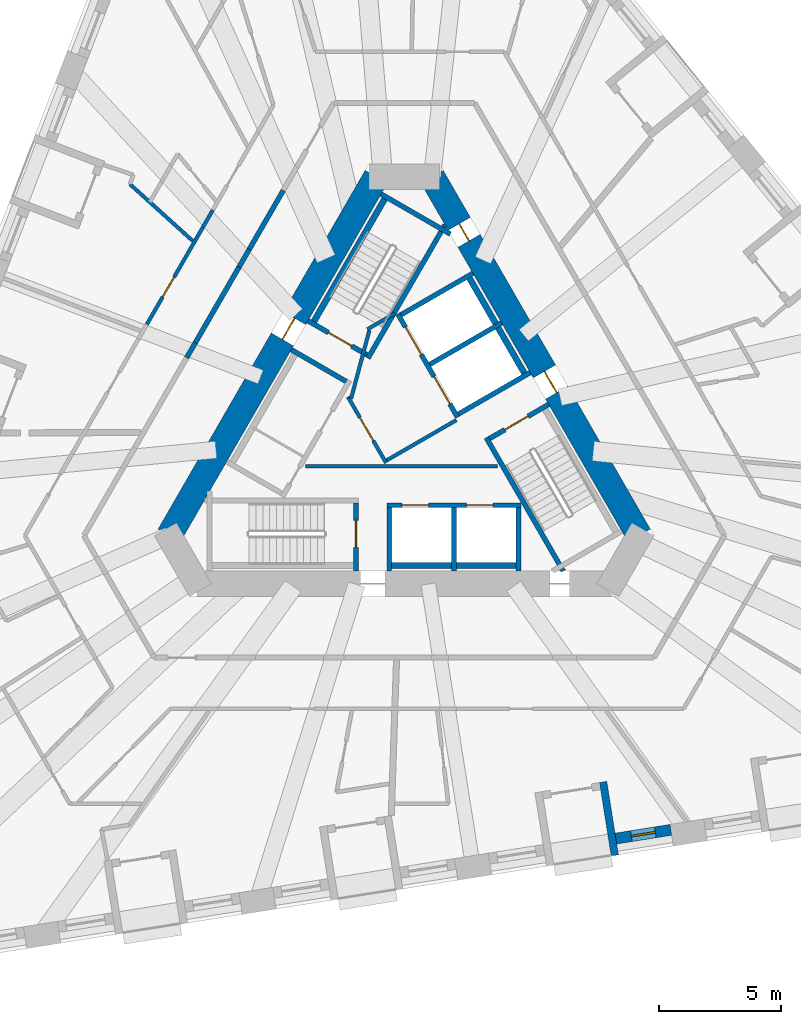
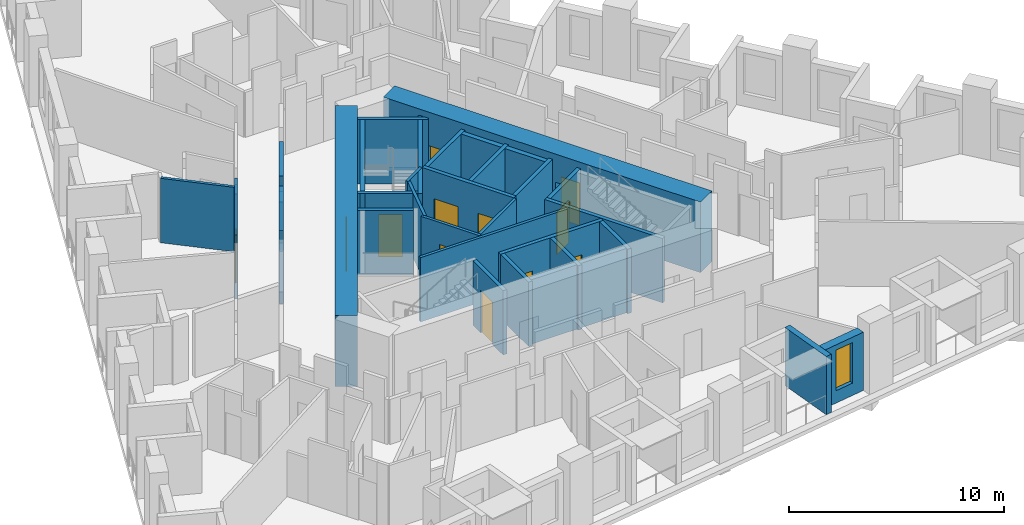
# One storey, part 5 of 14: 34 walls, 12 doors, 1 window, 13 openings.
"""IFC4 building model written with IfcOpenShell, lengths in metres."""

from ifc_helpers import new_model, si_unit, direction, frame, frame_2d, origin, place, context, subcontext, project, spatial, rectangle, extrude, material, layer, layer_set, type_object, element, fill, save


model = new_model("IFC4")

# Units and contexts
model_context = context("Model", 3, precision=1e-05, world=origin(), true_north=direction((0.0, 1.0)))
body_context = subcontext(model_context, "Body", "Model", "MODEL_VIEW")
ifc_project = project(units=[si_unit("LENGTHUNIT", "METRE"), si_unit("AREAUNIT", "SQUARE_METRE"), si_unit("VOLUMEUNIT", "CUBIC_METRE"), si_unit("PLANEANGLEUNIT", "RADIAN"), si_unit("MASSUNIT", "GRAM", prefix="KILO")], contexts=[model_context])

# Site, building, storey
site_placement = place(None, origin())
site = spatial("IfcSite", under=ifc_project, at=site_placement, CompositionType="ELEMENT")
building_placement = place(site_placement, origin())
building = spatial("IfcBuilding", under=site, at=building_placement, Name="Tramontana Tower", CompositionType="ELEMENT")
storey_placement = place(building_placement, frame((0.0, 0.0, 71.199951171875)))
storey = spatial("IfcBuildingStorey", under=building, at=storey_placement, Name="L15", CompositionType="ELEMENT", Elevation=71.199951171875)

# Wall, opening, door
ifc_material_1 = material(Name="Concrete 70 MPa", Category="concrete")
ifc_layer_1 = layer(ifc_material_1, 1.050048828125)
ifc_layer_set_1 = layer_set([ifc_layer_1], Name="Core wall 1050 70 MPa")
wall_type_1 = type_object("IfcWallType", Name="Core wall 1050 70 MPa", PredefinedType="SHEAR", material=ifc_layer_set_1)
wall_1_placement = place(storey_placement, frame((-1.140380859375, 10.47509765625, 0.0), z_axis=(0.0, 0.0, 1.0), x_axis=(-0.499985955615, -0.866033512162, 0.0)))
wall_1 = element("IfcWall", 1, at=wall_1_placement, inside=storey, type_object=wall_type_1, Name="Core wall C1 L15", PredefinedType="SHEAR", context=body_context, shape_type="SweptSolid", body=[
    extrude(rectangle(XDim=17.0029296875, YDim=1.050048828125, at=frame_2d((8.50146484375, 0.0))), origin(), (0.0, 0.0, 1.0), 4.0),
])
opening_1_placement = place(wall_1_placement, frame((6.70654296875, 0.0, 0.0)))
opening_1 = element("IfcOpeningElement", 2, at=opening_1_placement, cuts=wall_1, Name="Opening RG1", PredefinedType="OPENING", context=body_context, shape_type="SweptSolid", body=[
    extrude(rectangle(XDim=1.0, YDim=2.39990234375, at=frame_2d((0.5, 1.199951171875))), frame((0.0, 0.534912109375, 0.0), z_axis=(0.0, -1.0, 0.0), x_axis=(1.0, 0.0, 0.0)), (0.0, 0.0, 1.0), 1.070068359375),
])
ifc_material_2 = material(Name="Painted steel", Category="steel")
door_type_1 = type_object("IfcDoorType", Name="RING DOOR 1000", OperationType="SINGLE_SWING_LEFT", PredefinedType="DOOR", material=ifc_material_2)
door_1_placement = place(opening_1_placement, origin())
door_1 = element("IfcDoor", 3, at=door_1_placement, inside=storey, type_object=door_type_1, Name="Door RG1", OperationType="SINGLE_SWING_RIGHT", OverallHeight=2.39990234375, OverallWidth=1.0, PredefinedType="DOOR", context=body_context, shape_type="SweptSolid", body=[
    extrude(rectangle(XDim=1.0, YDim=2.39990234375, at=frame_2d((0.5, 1.199951171875))), frame((0.0, 0.02490234375, 0.0), z_axis=(0.0, -1.0, 0.0), x_axis=(1.0, 0.0, 0.0)), (0.0, 0.0, 1.0), 0.050048828125),
])
fill(opening_1, door_1)

# Wall, openings, doors
wall_2_placement = place(storey_placement, frame((9.6416015625, -4.25, 0.0), z_axis=(0.0, 0.0, 1.0), x_axis=(-0.499985955615, 0.866033512162, 0.0)))
wall_2 = element("IfcWall", 4, at=wall_2_placement, inside=storey, type_object=wall_type_1, Name="Core wall C5 L15", PredefinedType="SHEAR", context=body_context, shape_type="SweptSolid", body=[
    extrude(rectangle(XDim=17.0029296875, YDim=1.050048828125, at=frame_2d((8.50146484375, 0.0))), origin(), (0.0, 0.0, 1.0), 4.0),
])
opening_2_placement = place(wall_2_placement, frame((6.7763671875, 0.0, 0.0)))
opening_2 = element("IfcOpeningElement", 5, at=opening_2_placement, cuts=wall_2, Name="Opening RG3", PredefinedType="OPENING", context=body_context, shape_type="SweptSolid", body=[
    extrude(rectangle(XDim=1.0, YDim=2.39990234375, at=frame_2d((0.5, 1.199951171875))), frame((0.0, 0.534912109375, 0.0), z_axis=(0.0, -1.0, 0.0), x_axis=(1.0, 0.0, 0.0)), (0.0, 0.0, 1.0), 1.070068359375),
])
opening_3_placement = place(wall_2_placement, frame((13.966796875, 0.0, 0.0)))
opening_3 = element("IfcOpeningElement", 6, at=opening_3_placement, cuts=wall_2, Name="Opening PD3", PredefinedType="OPENING", context=body_context, shape_type="SweptSolid", body=[
    extrude(rectangle(XDim=0.800048828125, YDim=2.10009765625, at=frame_2d((0.39990234375, 1.050048828125))), frame((0.0, 0.534912109375, 0.0), z_axis=(0.0, -1.0, 0.0), x_axis=(1.0, 0.0, 0.0)), (0.0, 0.0, 1.0), 1.070068359375),
])
ifc_material_3 = material(Name="Painted steel", Category="steel")
door_type_2 = type_object("IfcDoorType", Name="CUPBOARD DOOR 800", OperationType="SINGLE_SWING_LEFT", PredefinedType="DOOR", material=ifc_material_3)
door_2_placement = place(opening_3_placement, origin())
door_2 = element("IfcDoor", 7, at=door_2_placement, inside=storey, type_object=door_type_2, Name="Door PD3", OperationType="SINGLE_SWING_RIGHT", OverallHeight=2.10009765625, OverallWidth=0.800048828125, PredefinedType="DOOR", context=body_context, shape_type="SweptSolid", body=[
    extrude(rectangle(XDim=0.800048828125, YDim=2.10009765625, at=frame_2d((0.39990234375, 1.050048828125))), frame((0.0, 0.02490234375, 0.0), z_axis=(0.0, -1.0, 0.0), x_axis=(1.0, 0.0, 0.0)), (0.0, 0.0, 1.0), 0.050048828125),
])
fill(opening_3, door_2)
door_3_placement = place(opening_2_placement, origin())
door_3 = element("IfcDoor", 8, at=door_3_placement, inside=storey, type_object=door_type_1, Name="Door RG3", OperationType="SINGLE_SWING_RIGHT", OverallHeight=2.39990234375, OverallWidth=1.0, PredefinedType="DOOR", context=body_context, shape_type="SweptSolid", body=[
    extrude(rectangle(XDim=1.0, YDim=2.39990234375, at=frame_2d((0.5, 1.199951171875))), frame((0.0, 0.02490234375, 0.0), z_axis=(0.0, -1.0, 0.0), x_axis=(1.0, 0.0, 0.0)), (0.0, 0.0, 1.0), 0.050048828125),
])
fill(opening_2, door_3)

# Walls
ifc_material_4 = material(Name="Blockwork", Category="masonry")
ifc_layer_2 = layer(ifc_material_4, 0.199951171875)
ifc_layer_set_2 = layer_set([ifc_layer_2], Name="ENTRY WALL 200")
wall_type_2 = type_object("IfcWallType", Name="ENTRY WALL 200", PredefinedType="SOLIDWALL", material=ifc_layer_set_2)
wall_3_placement = place(storey_placement, frame((-8.92041015625, 3.04931640625, 0.0), z_axis=(0.0, 0.0, 1.0), x_axis=(0.499881507708, 0.866093804534, 0.0)))
element("IfcWall", 9, at=wall_3_placement, inside=storey, type_object=wall_type_2, Name="Wall v11-ew4-3", PredefinedType="SOLIDWALL", context=body_context, shape_type="SweptSolid", body=[
    extrude(rectangle(XDim=0.708740234375, YDim=0.199951171875, at=frame_2d((0.3544921875, 0.0))), origin(), (0.0, 0.0, 1.0), 2.949951171875),
])
wall_4_placement = place(storey_placement, frame((-8.566162109375, 3.6630859375, 0.0), z_axis=(0.0, 0.0, 1.0), x_axis=(0.500013241293, 0.866017758786, 0.0)))
element("IfcWall", 10, at=wall_4_placement, inside=storey, type_object=wall_type_2, Name="Wall v11-ew4-4", PredefinedType="SOLIDWALL", context=body_context, shape_type="SweptSolid", body=[
    extrude(rectangle(XDim=3.58544921875, YDim=0.199951171875, at=frame_2d((1.792724609375, 0.0))), origin(), (0.0, 0.0, 1.0), 3.650146484375),
])
wall_5_placement = place(storey_placement, frame((-6.7734375, 6.76806640625, 0.0), z_axis=(0.0, 0.0, 1.0), x_axis=(0.500117447933, 0.865957584569, 0.0)))
element("IfcWall", 11, at=wall_5_placement, inside=storey, type_object=wall_type_2, Name="Wall v11-ew4-5", PredefinedType="SOLIDWALL", context=body_context, shape_type="SweptSolid", body=[
    extrude(rectangle(XDim=0.838134765625, YDim=0.199951171875, at=frame_2d((0.4189453125, 0.0))), origin(), (0.0, 0.0, 1.0), 2.75),
])
wall_6_placement = place(storey_placement, frame((-6.354248046875, 7.493896484375, 0.0), z_axis=(0.0, 0.0, 1.0), x_axis=(0.499964529649, 0.866045881633, 0.0)))
element("IfcWall", 12, at=wall_6_placement, inside=storey, type_object=wall_type_2, Name="Wall v11-ew4-6", PredefinedType="SOLIDWALL", context=body_context, shape_type="SweptSolid", body=[
    extrude(rectangle(XDim=2.793701171875, YDim=0.199951171875, at=frame_2d((1.39697265625, 0.0))), origin(), (0.0, 0.0, 1.0), 3.650146484375),
])

# Wall, opening, window
ifc_material_5 = material(Name="Precast concrete 60 MPa", Category="concrete")
ifc_layer_3 = layer(ifc_material_5, 0.449951171875)
ifc_layer_set_3 = layer_set([ifc_layer_3], Name="Precast concrete 60 MPa, 450 mm")
wall_type_3 = type_object("IfcWallType", Name="EW1 Stone-faced precast wall 450", PredefinedType="SOLIDWALL", material=ifc_layer_set_3)
wall_7_placement = place(storey_placement, frame((8.680908203125, -16.67236328125, 0.0), z_axis=(0.0, 0.0, 1.0), x_axis=(0.987685675151, 0.156451293065, 0.0)))
wall_7 = element("IfcWall", 13, at=wall_7_placement, inside=storey, type_object=wall_type_3, Name="External wall L15 face 1 bay 4", PredefinedType="SOLIDWALL", context=body_context, shape_type="SweptSolid", body=[
    extrude(rectangle(XDim=2.282958984375, YDim=0.449951171875, at=frame_2d((1.1416015625, 0.0))), origin(), (0.0, 0.0, 1.0), 3.300048828125),
])
opening_4_placement = place(wall_7_placement, frame((0.6416015625, 0.0, 0.699951171875)))
opening_4 = element("IfcOpeningElement", 14, at=opening_4_placement, cuts=wall_7, Name="Opening N1", PredefinedType="OPENING", context=body_context, shape_type="SweptSolid", body=[
    extrude(rectangle(XDim=1.0, YDim=2.300048828125, at=frame_2d((0.5, 1.14990234375))), frame((0.0, 0.23486328125, 0.0), z_axis=(0.0, -1.0, 0.0), x_axis=(1.0, 0.0, 0.0)), (0.0, 0.0, 1.0), 0.469970703125),
])
ifc_material_6 = material(Name="Aluminum frame, double glazing unit", Category="aluminium")
window_type = type_object("IfcWindowType", Name="N1 Window 1 x 2.3", PartitioningType="SINGLE_PANEL", PredefinedType="WINDOW", material=ifc_material_6)
window_placement = place(opening_4_placement, origin())
window = element("IfcWindow", 15, at=window_placement, inside=storey, type_object=window_type, Name="Window N1 L15 face 1 module 12", OverallHeight=2.300048828125, OverallWidth=1.0, PartitioningType="SINGLE_PANEL", PredefinedType="WINDOW", context=body_context, shape_type="SweptSolid", body=[
    extrude(rectangle(XDim=1.0, YDim=2.300048828125, at=frame_2d((0.5, 1.14990234375))), frame((0.0, 0.030029296875, 0.0), z_axis=(0.0, -1.0, 0.0), x_axis=(1.0, 0.0, 0.0)), (0.0, 0.0, 1.0), 0.06005859375),
])
fill(opening_4, window)

# Wall
ifc_material_7 = material(Name="Precast concrete 60 MPa", Category="concrete")
ifc_layer_4 = layer(ifc_material_7, 0.300048828125)
ifc_layer_set_4 = layer_set([ifc_layer_4], Name="LW1 Stone-faced loggia wall 300")
wall_type_4 = type_object("IfcWallType", Name="LW1 Stone-faced loggia wall 300", PredefinedType="SOLIDWALL", material=ifc_layer_set_4)
wall_8_placement = place(storey_placement, frame((8.638427734375, -17.3623046875, 0.0), z_axis=(0.0, 0.0, 1.0), x_axis=(-0.156410600741, 0.987692120033, 0.0)))
element("IfcWall", 16, at=wall_8_placement, inside=storey, type_object=wall_type_4, Name="Loggia return L15 G1S1.10b", PredefinedType="SOLIDWALL", context=body_context, shape_type="SweptSolid", body=[
    extrude(rectangle(XDim=3.050048828125, YDim=0.300048828125, at=frame_2d((1.52490234375, 0.0))), origin(), (0.0, 0.0, 1.0), 3.300048828125),
])

# Wall, opening, door
ifc_material_8 = material(Name="Gypsum board partition")
ifc_layer_5 = layer(ifc_material_8, 0.14990234375)
ifc_layer_set_5 = layer_set([ifc_layer_5], Name="PARTITION 150")
wall_type_5 = type_object("IfcWallType", Name="PARTITION 150", PredefinedType="PARTITIONING", material=ifc_layer_set_5)
wall_9_placement = place(storey_placement, frame((-0.744140625, -1.260986328125, 0.0), z_axis=(0.0, 0.0, 1.0), x_axis=(-0.500004234368, 0.866022959057, 0.0)))
wall_9 = element("IfcWall", 17, at=wall_9_placement, inside=storey, type_object=wall_type_5, Name="Wall ff-front", PredefinedType="PARTITIONING", context=body_context, shape_type="SweptSolid", body=[
    extrude(rectangle(XDim=3.125, YDim=0.14990234375, at=frame_2d((1.5625, 0.0))), origin(), (0.0, 0.0, 1.0), 3.650146484375),
])
opening_5_placement = place(wall_9_placement, frame((1.050048828125, 0.0, 0.0)))
opening_5 = element("IfcOpeningElement", 18, at=opening_5_placement, cuts=wall_9, Name="Opening FD1", PredefinedType="OPENING", context=body_context, shape_type="SweptSolid", body=[
    extrude(rectangle(XDim=1.10009765625, YDim=2.39990234375, at=frame_2d((0.550048828125, 1.199951171875))), frame((0.0, 0.0849609375, 0.0), z_axis=(0.0, -1.0, 0.0), x_axis=(1.0, 0.0, 0.0)), (0.0, 0.0, 1.0), 0.169921875),
])
ifc_material_9 = material(Name="Painted timber", Category="wood")
door_type_3 = type_object("IfcDoorType", Name="DOOR ENTRY 1100", OperationType="SINGLE_SWING_LEFT", PredefinedType="DOOR", material=ifc_material_9)
door_4_placement = place(opening_5_placement, origin())
door_4 = element("IfcDoor", 19, at=door_4_placement, inside=storey, type_object=door_type_3, Name="Door FD1", OperationType="SINGLE_SWING_LEFT", OverallHeight=2.39990234375, OverallWidth=1.10009765625, PredefinedType="DOOR", context=body_context, shape_type="SweptSolid", body=[
    extrude(rectangle(XDim=1.10009765625, YDim=2.39990234375, at=frame_2d((0.550048828125, 1.199951171875))), frame((0.0, 0.02490234375, 0.0), z_axis=(0.0, -1.0, 0.0), x_axis=(1.0, 0.0, 0.0)), (0.0, 0.0, 1.0), 0.050048828125),
])
fill(opening_5, door_4)

# Walls
wall_10_placement = place(storey_placement, frame((-0.716796875, -1.15869140625, 0.0), z_axis=(0.0, 0.0, 1.0), x_axis=(0.866008176907, 0.50002983664, 0.0)))
element("IfcWall", 20, at=wall_10_placement, inside=storey, type_object=wall_type_5, Name="Wall ff-end0", PredefinedType="PARTITIONING", context=body_context, shape_type="SweptSolid", body=[
    extrude(rectangle(XDim=3.300048828125, YDim=0.14990234375, at=frame_2d((1.64990234375, 0.0))), origin(), (0.0, 0.0, 1.0), 3.650146484375),
])
wall_11_placement = place(storey_placement, frame((-2.177978515625, 1.372314453125, 0.0), z_axis=(0.0, 0.0, 1.0), x_axis=(0.258808958833, 0.96592852884, 0.0)))
element("IfcWall", 21, at=wall_11_placement, inside=storey, type_object=wall_type_5, Name="Wall ff-diag", PredefinedType="PARTITIONING", context=body_context, shape_type="SweptSolid", body=[
    extrude(rectangle(XDim=2.902587890625, YDim=0.14990234375, at=frame_2d((1.451171875, 0.0))), origin(), (0.0, 0.0, 1.0), 3.650146484375),
])
wall_12_placement = place(storey_placement, frame((-1.509765625, 4.21484375, 0.0), z_axis=(0.0, 0.0, 1.0), x_axis=(0.866085525409, 0.49989585183, 0.0)))
element("IfcWall", 22, at=wall_12_placement, inside=storey, type_object=wall_type_5, Name="Wall ff-end1", PredefinedType="PARTITIONING", context=body_context, shape_type="SweptSolid", body=[
    extrude(rectangle(XDim=1.300048828125, YDim=0.14990234375, at=frame_2d((0.64990234375, 0.0))), origin(), (0.0, 0.0, 1.0), 3.650146484375),
])
wall_13_placement = place(storey_placement, frame((-4.053466796875, -1.39990234375, 0.0), z_axis=(0.0, 0.0, 1.0), x_axis=(1.0, 0.0, 0.0)))
element("IfcWall", 23, at=wall_13_placement, inside=storey, type_object=wall_type_5, Name="Wall hub-cut1", PredefinedType="PARTITIONING", context=body_context, shape_type="SweptSolid", body=[
    extrude(rectangle(XDim=7.8759765625, YDim=0.14990234375, at=frame_2d((3.93798828125, 0.0))), origin(), (0.0, 0.0, 1.0), 3.650146484375),
])

# Wall, opening, door
wall_14_placement = place(storey_placement, frame((-10.557373046875, 4.4140625, 0.0), z_axis=(0.0, 0.0, 1.0), x_axis=(0.499985815721, 0.866033592927, 0.0)))
wall_14 = element("IfcWall", 24, at=wall_14_placement, inside=storey, type_object=wall_type_5, Name="Wall v11-pw05-4", PredefinedType="PARTITIONING", context=body_context, shape_type="SweptSolid", body=[
    extrude(rectangle(XDim=4.600830078125, YDim=0.14990234375, at=frame_2d((2.30029296875, 0.0))), origin(), (0.0, 0.0, 1.0), 3.650146484375),
])
opening_6_placement = place(wall_14_placement, frame((1.30029296875, 0.0, 0.0)))
opening_6 = element("IfcOpeningElement", 25, at=opening_6_placement, cuts=wall_14, Name="Opening B1B-07", PredefinedType="OPENING", context=body_context, shape_type="SweptSolid", body=[
    extrude(rectangle(XDim=0.949951171875, YDim=2.39990234375, at=frame_2d((0.47509765625, 1.199951171875))), frame((0.0, 0.0849609375, 0.0), z_axis=(0.0, -1.0, 0.0), x_axis=(1.0, 0.0, 0.0)), (0.0, 0.0, 1.0), 0.169921875),
])
ifc_material_10 = material(Name="Painted timber", Category="wood")
door_type_4 = type_object("IfcDoorType", Name="DOOR ROOM 950", OperationType="SINGLE_SWING_LEFT", PredefinedType="DOOR", material=ifc_material_10)
door_5_placement = place(opening_6_placement, origin())
door_5 = element("IfcDoor", 26, at=door_5_placement, inside=storey, type_object=door_type_4, Name="Door B1B-07", OperationType="SINGLE_SWING_LEFT", OverallHeight=2.39990234375, OverallWidth=0.949951171875, PredefinedType="DOOR", context=body_context, shape_type="SweptSolid", body=[
    extrude(rectangle(XDim=0.949951171875, YDim=2.39990234375, at=frame_2d((0.47509765625, 1.199951171875))), frame((0.0, 0.02490234375, 0.0), z_axis=(0.0, -1.0, 0.0), x_axis=(1.0, 0.0, 0.0)), (0.0, 0.0, 1.0), 0.050048828125),
])
fill(opening_6, door_5)

# Walls
wall_15_placement = place(storey_placement, frame((-8.257080078125, 8.3984375, 0.0), z_axis=(0.0, 0.0, 1.0), x_axis=(0.500052144805, 0.865995295874, 0.0)))
element("IfcWall", 27, at=wall_15_placement, inside=storey, type_object=wall_type_5, Name="Wall v11-pw05-5", PredefinedType="PARTITIONING", context=body_context, shape_type="SweptSolid", body=[
    extrude(rectangle(XDim=0.81201171875, YDim=0.14990234375, at=frame_2d((0.406005859375, 0.0))), origin(), (0.0, 0.0, 1.0), 2.75),
])
wall_16_placement = place(storey_placement, frame((-8.668212890625, 7.836181640625, 0.0), z_axis=(0.0, 0.0, 1.0), x_axis=(-0.741818017286, 0.670601244578, 0.0)))
element("IfcWall", 28, at=wall_16_placement, inside=storey, type_object=wall_type_5, Name="Wall v11-pw21", PredefinedType="PARTITIONING", context=body_context, shape_type="SweptSolid", body=[
    extrude(rectangle(XDim=3.48291015625, YDim=0.14990234375, at=frame_2d((1.741455078125, 0.0))), origin(), (0.0, 0.0, 1.0), 3.650146484375),
])
ifc_material_11 = material(Name="Concrete 70 MPa", Category="concrete")
ifc_layer_6 = layer(ifc_material_11, 0.25)
ifc_layer_set_6 = layer_set([ifc_layer_6], Name="Concrete 70 MPa, 250 mm")
wall_type_6 = type_object("IfcWallType", Name="RC SHAFT BACK WALL 250", PredefinedType="SOLIDWALL", material=ifc_layer_set_6)
wall_17_placement = place(storey_placement, frame((-0.701416015625, 9.73486328125, 0.0), z_axis=(0.0, 0.0, 1.0), x_axis=(-0.500026960575, -0.86600983753, 0.0)))
element("IfcWall", 29, at=wall_17_placement, inside=storey, type_object=wall_type_6, Name="Wall st1-back", PredefinedType="SOLIDWALL", context=body_context, shape_type="SweptSolid", body=[
    extrude(rectangle(XDim=6.199951171875, YDim=0.25, at=frame_2d((3.10009765625, 0.0))), origin(), (0.0, 0.0, 1.0), 3.650146484375),
])
wall_18_placement = place(storey_placement, frame((-0.7099609375, -5.47509765625, 0.0), z_axis=(0.0, 0.0, 1.0), x_axis=(1.0, 0.0, 0.0)))
element("IfcWall", 30, at=wall_18_placement, inside=storey, type_object=wall_type_6, Name="Wall row1-back", PredefinedType="SOLIDWALL", context=body_context, shape_type="SweptSolid", body=[
    extrude(rectangle(XDim=5.5, YDim=0.25, at=frame_2d((2.75, 0.0))), origin(), (0.0, 0.0, 1.0), 3.650146484375),
])
wall_19_placement = place(storey_placement, frame((5.0263671875, 2.243896484375, 0.0), z_axis=(0.0, 0.0, 1.0), x_axis=(-0.500002801628, 0.866023786258, 0.0)))
element("IfcWall", 31, at=wall_19_placement, inside=storey, type_object=wall_type_6, Name="Wall row2-back", PredefinedType="SOLIDWALL", context=body_context, shape_type="SweptSolid", body=[
    extrude(rectangle(XDim=4.89990234375, YDim=0.25, at=frame_2d((2.449951171875, 0.0))), origin(), (0.0, 0.0, 1.0), 3.650146484375),
])
ifc_material_12 = material(Name="Concrete 70 MPa", Category="concrete")
ifc_layer_7 = layer(ifc_material_12, 0.199951171875)
ifc_layer_set_7 = layer_set([ifc_layer_7], Name="Concrete 70 MPa, 200 mm")
wall_type_7 = type_object("IfcWallType", Name="RC STAIR AND SHAFT WALL 200", PredefinedType="SOLIDWALL", material=ifc_layer_set_7)
wall_20_placement = place(storey_placement, frame((1.67431640625, 8.5, 0.0), z_axis=(0.0, 0.0, 1.0), x_axis=(-0.499995607161, -0.866027939976, 0.0)))
element("IfcWall", 32, at=wall_20_placement, inside=storey, type_object=wall_type_7, Name="Wall st1-front", PredefinedType="SOLIDWALL", context=body_context, shape_type="SweptSolid", body=[
    extrude(rectangle(XDim=6.318359375, YDim=0.199951171875, at=frame_2d((3.1591796875, 0.0))), origin(), (0.0, 0.0, 1.0), 3.650146484375),
])
wall_21_placement = place(storey_placement, frame((1.892578125, 8.121826171875, 0.0), z_axis=(0.0, 0.0, 1.0), x_axis=(-0.866006986733, 0.500031897912, 0.0)))
element("IfcWall", 33, at=wall_21_placement, inside=storey, type_object=wall_type_7, Name="Wall st1-far", PredefinedType="SOLIDWALL", context=body_context, shape_type="SweptSolid", body=[
    extrude(rectangle(XDim=3.278076171875, YDim=0.199951171875, at=frame_2d((1.63916015625, 0.0))), origin(), (0.0, 0.0, 1.0), 3.650146484375),
])

# Wall, opening, door
wall_22_placement = place(storey_placement, frame((-1.521484375, 3.164794921875, 0.0), z_axis=(0.0, 0.0, 1.0), x_axis=(-0.866034573852, 0.49998411664, 0.0)))
wall_22 = element("IfcWall", 34, at=wall_22_placement, inside=storey, type_object=wall_type_7, Name="Wall st1-near", PredefinedType="SOLIDWALL", context=body_context, shape_type="SweptSolid", body=[
    extrude(rectangle(XDim=2.7998046875, YDim=0.199951171875, at=frame_2d((1.39990234375, 0.0))), origin(), (0.0, 0.0, 1.0), 3.650146484375),
])
opening_7_placement = place(wall_22_placement, frame((0.72509765625, 0.0, 0.0)))
opening_7 = element("IfcOpeningElement", 35, at=opening_7_placement, cuts=wall_22, Name="Opening SD1", PredefinedType="OPENING", context=body_context, shape_type="SweptSolid", body=[
    extrude(rectangle(XDim=1.10009765625, YDim=2.39990234375, at=frame_2d((0.550048828125, 1.199951171875))), frame((0.0, 0.10986328125, 0.0), z_axis=(0.0, -1.0, 0.0), x_axis=(1.0, 0.0, 0.0)), (0.0, 0.0, 1.0), 0.219970703125),
])
ifc_material_13 = material(Name="Painted steel", Category="steel")
door_type_5 = type_object("IfcDoorType", Name="STAIR DOOR 1100", OperationType="SINGLE_SWING_LEFT", PredefinedType="DOOR", material=ifc_material_13)
door_6_placement = place(opening_7_placement, origin())
door_6 = element("IfcDoor", 36, at=door_6_placement, inside=storey, type_object=door_type_5, Name="Door SD1", OperationType="SINGLE_SWING_RIGHT", OverallHeight=2.39990234375, OverallWidth=1.10009765625, PredefinedType="DOOR", context=body_context, shape_type="SweptSolid", body=[
    extrude(rectangle(XDim=1.10009765625, YDim=2.39990234375, at=frame_2d((0.550048828125, 1.199951171875))), frame((0.0, 0.02490234375, 0.0), z_axis=(0.0, -1.0, 0.0), x_axis=(1.0, 0.0, 0.0)), (0.0, 0.0, 1.0), 0.050048828125),
])
fill(opening_7, door_6)

wall_23_placement = place(storey_placement, frame((-1.97998046875, -2.89990234375, 0.0), z_axis=(0.0, 0.0, 1.0), x_axis=(0.0, -1.0, 0.0)))
wall_23 = element("IfcWall", 37, at=wall_23_placement, inside=storey, type_object=wall_type_7, Name="Wall st2-near", PredefinedType="SOLIDWALL", context=body_context, shape_type="SweptSolid", body=[
    extrude(rectangle(XDim=2.800048828125, YDim=0.199951171875, at=frame_2d((1.39990234375, 0.0))), origin(), (0.0, 0.0, 1.0), 3.650146484375),
])
opening_8_placement = place(wall_23_placement, frame((0.72509765625, 0.0, 0.0)))
opening_8 = element("IfcOpeningElement", 38, at=opening_8_placement, cuts=wall_23, Name="Opening SD2", PredefinedType="OPENING", context=body_context, shape_type="SweptSolid", body=[
    extrude(rectangle(XDim=1.10009765625, YDim=2.39990234375, at=frame_2d((0.550048828125, 1.199951171875))), frame((0.0, 0.10986328125, 0.0), z_axis=(0.0, -1.0, 0.0), x_axis=(1.0, 0.0, 0.0)), (0.0, 0.0, 1.0), 0.219970703125),
])
door_7_placement = place(opening_8_placement, origin())
door_7 = element("IfcDoor", 39, at=door_7_placement, inside=storey, type_object=door_type_5, Name="Door SD2", OperationType="SINGLE_SWING_LEFT", OverallHeight=2.39990234375, OverallWidth=1.10009765625, PredefinedType="DOOR", context=body_context, shape_type="SweptSolid", body=[
    extrude(rectangle(XDim=1.10009765625, YDim=2.39990234375, at=frame_2d((0.550048828125, 1.199951171875))), frame((0.0, 0.02490234375, 0.0), z_axis=(0.0, -1.0, 0.0), x_axis=(1.0, 0.0, 0.0)), (0.0, 0.0, 1.0), 0.050048828125),
])
fill(opening_8, door_7)

# Wall
wall_24_placement = place(storey_placement, frame((6.524169921875, -5.699951171875, 0.0), z_axis=(0.0, 0.0, 1.0), x_axis=(-0.499995607161, 0.866027939976, 0.0)))
element("IfcWall", 40, at=wall_24_placement, inside=storey, type_object=wall_type_7, Name="Wall st3-front", PredefinedType="SOLIDWALL", context=body_context, shape_type="SweptSolid", body=[
    extrude(rectangle(XDim=6.318359375, YDim=0.199951171875, at=frame_2d((3.1591796875, 0.0))), origin(), (0.0, 0.0, 1.0), 3.650146484375),
])

# Wall, opening, door
wall_25_placement = place(storey_placement, frame((3.50146484375, -0.2646484375, 0.0), z_axis=(0.0, 0.0, 1.0), x_axis=(0.866034573852, 0.49998411664, 0.0)))
wall_25 = element("IfcWall", 41, at=wall_25_placement, inside=storey, type_object=wall_type_7, Name="Wall st3-near", PredefinedType="SOLIDWALL", context=body_context, shape_type="SweptSolid", body=[
    extrude(rectangle(XDim=2.7998046875, YDim=0.199951171875, at=frame_2d((1.39990234375, 0.0))), origin(), (0.0, 0.0, 1.0), 3.650146484375),
])
opening_9_placement = place(wall_25_placement, frame((0.72509765625, 0.0, 0.0)))
opening_9 = element("IfcOpeningElement", 42, at=opening_9_placement, cuts=wall_25, Name="Opening SD3", PredefinedType="OPENING", context=body_context, shape_type="SweptSolid", body=[
    extrude(rectangle(XDim=1.10009765625, YDim=2.39990234375, at=frame_2d((0.550048828125, 1.199951171875))), frame((0.0, 0.10986328125, 0.0), z_axis=(0.0, -1.0, 0.0), x_axis=(1.0, 0.0, 0.0)), (0.0, 0.0, 1.0), 0.219970703125),
])
door_8_placement = place(opening_9_placement, origin())
door_8 = element("IfcDoor", 43, at=door_8_placement, inside=storey, type_object=door_type_5, Name="Door SD3", OperationType="SINGLE_SWING_RIGHT", OverallHeight=2.39990234375, OverallWidth=1.10009765625, PredefinedType="DOOR", context=body_context, shape_type="SweptSolid", body=[
    extrude(rectangle(XDim=1.10009765625, YDim=2.39990234375, at=frame_2d((0.550048828125, 1.199951171875))), frame((0.0, 0.02490234375, 0.0), z_axis=(0.0, -1.0, 0.0), x_axis=(1.0, 0.0, 0.0)), (0.0, 0.0, 1.0), 0.050048828125),
])
fill(opening_9, door_8)

# Wall
wall_26_placement = place(storey_placement, frame((-2.379638671875, 2.078369140625, 0.0), z_axis=(0.0, 0.0, 1.0), x_axis=(-0.866062058628, 0.499936506574, 0.0)))
element("IfcWall", 44, at=wall_26_placement, inside=storey, type_object=wall_type_7, Name="Wall row0-side0", PredefinedType="SOLIDWALL", context=body_context, shape_type="SweptSolid", body=[
    extrude(rectangle(XDim=2.599853515625, YDim=0.199951171875, at=frame_2d((1.2998046875, 0.0))), origin(), (0.0, 0.0, 1.0), 3.650146484375),
])

# Wall, openings, doors
wall_27_placement = place(storey_placement, frame((-0.7099609375, -3.0, 0.0), z_axis=(0.0, 0.0, 1.0), x_axis=(1.0, 0.0, 0.0)))
wall_27 = element("IfcWall", 45, at=wall_27_placement, inside=storey, type_object=wall_type_7, Name="Wall row1-front", PredefinedType="SOLIDWALL", context=body_context, shape_type="SweptSolid", body=[
    extrude(rectangle(XDim=5.5, YDim=0.199951171875, at=frame_2d((2.75, 0.0))), origin(), (0.0, 0.0, 1.0), 3.650146484375),
])
opening_10_placement = place(wall_27_placement, frame((0.610107421875, 0.0, 0.0)))
opening_10 = element("IfcOpeningElement", 46, at=opening_10_placement, cuts=wall_27, Name="Opening LD-S1", PredefinedType="OPENING", context=body_context, shape_type="SweptSolid", body=[
    extrude(rectangle(XDim=1.10009765625, YDim=2.10009765625, at=frame_2d((0.550048828125, 1.050048828125))), frame((0.0, 0.10986328125, 0.0), z_axis=(0.0, -1.0, 0.0), x_axis=(1.0, 0.0, 0.0)), (0.0, 0.0, 1.0), 0.219970703125),
])
opening_11_placement = place(wall_27_placement, frame((3.260009765625, 0.0, 0.0)))
opening_11 = element("IfcOpeningElement", 47, at=opening_11_placement, cuts=wall_27, Name="Opening LD-S2", PredefinedType="OPENING", context=body_context, shape_type="SweptSolid", body=[
    extrude(rectangle(XDim=1.10009765625, YDim=2.10009765625, at=frame_2d((0.550048828125, 1.050048828125))), frame((0.0, 0.10986328125, 0.0), z_axis=(0.0, -1.0, 0.0), x_axis=(1.0, 0.0, 0.0)), (0.0, 0.0, 1.0), 0.219970703125),
])
ifc_material_14 = material(Name="Brushed steel", Category="steel")
door_type_6 = type_object("IfcDoorType", Name="LANDING DOOR 1100", OperationType="SINGLE_SWING_LEFT", PredefinedType="DOOR", material=ifc_material_14)
door_9_placement = place(opening_10_placement, origin())
door_9 = element("IfcDoor", 48, at=door_9_placement, inside=storey, type_object=door_type_6, Name="Door LD-S1", OperationType="SLIDING_TO_LEFT", OverallHeight=2.10009765625, OverallWidth=1.10009765625, PredefinedType="DOOR", context=body_context, shape_type="SweptSolid", body=[
    extrude(rectangle(XDim=1.10009765625, YDim=2.10009765625, at=frame_2d((0.550048828125, 1.050048828125))), frame((0.0, 0.02490234375, 0.0), z_axis=(0.0, -1.0, 0.0), x_axis=(1.0, 0.0, 0.0)), (0.0, 0.0, 1.0), 0.050048828125),
])
fill(opening_10, door_9)
door_10_placement = place(opening_11_placement, origin())
door_10 = element("IfcDoor", 49, at=door_10_placement, inside=storey, type_object=door_type_6, Name="Door LD-S2", OperationType="SLIDING_TO_RIGHT", OverallHeight=2.10009765625, OverallWidth=1.10009765625, PredefinedType="DOOR", context=body_context, shape_type="SweptSolid", body=[
    extrude(rectangle(XDim=1.10009765625, YDim=2.10009765625, at=frame_2d((0.550048828125, 1.050048828125))), frame((0.0, 0.02490234375, 0.0), z_axis=(0.0, -1.0, 0.0), x_axis=(1.0, 0.0, 0.0)), (0.0, 0.0, 1.0), 0.050048828125),
])
fill(opening_11, door_10)

# Walls
for number, where, z_axis, x_axis, name in (
    (50, (-0.610107421875, -3.10009765625, 0.0), (0.0, 0.0, 1.0), (0.0, -1.0, 0.0), "Wall row1-side0"),
    (51, (2.0400390625, -3.10009765625, 0.0), (0.0, 0.0, 1.0), (0.0, -1.0, 0.0), "Wall row1-side1"),
    (52, (4.68994140625, -3.10009765625, 0.0), (0.0, 0.0, 1.0), (0.0, -1.0, 0.0), "Wall row1-side2"),
):
    element("IfcWall", number, at=place(storey_placement, frame(where, z_axis=z_axis, x_axis=x_axis)), inside=storey, type_object=wall_type_7, Name=name, PredefinedType="SOLIDWALL", context=body_context, shape_type="SweptSolid", body=[
        extrude(rectangle(XDim=2.599853515625, YDim=0.199951171875, at=frame_2d((1.2998046875, 0.0))), origin(), (0.0, 0.0, 1.0), 3.650146484375),
    ])

# Wall, openings, doors
wall_28_placement = place(storey_placement, frame((2.190185546875, 0.6064453125, 0.0), z_axis=(0.0, 0.0, 1.0), x_axis=(-0.500002801628, 0.866023786258, 0.0)))
wall_28 = element("IfcWall", 53, at=wall_28_placement, inside=storey, type_object=wall_type_7, Name="Wall row2-front", PredefinedType="SOLIDWALL", context=body_context, shape_type="SweptSolid", body=[
    extrude(rectangle(XDim=4.89990234375, YDim=0.199951171875, at=frame_2d((2.449951171875, 0.0))), origin(), (0.0, 0.0, 1.0), 3.650146484375),
])
opening_12_placement = place(wall_28_placement, frame((0.625, 0.0, 0.0)))
opening_12 = element("IfcOpeningElement", 54, at=opening_12_placement, cuts=wall_28, Name="Opening LD-F1", PredefinedType="OPENING", context=body_context, shape_type="SweptSolid", body=[
    extrude(rectangle(XDim=1.300048828125, YDim=2.10009765625, at=frame_2d((0.64990234375, 1.050048828125))), frame((0.0, 0.10986328125, 0.0), z_axis=(0.0, -1.0, 0.0), x_axis=(1.0, 0.0, 0.0)), (0.0, 0.0, 1.0), 0.219970703125),
])
opening_13_placement = place(wall_28_placement, frame((2.97509765625, 0.0, 0.0)))
opening_13 = element("IfcOpeningElement", 55, at=opening_13_placement, cuts=wall_28, Name="Opening LD-F2", PredefinedType="OPENING", context=body_context, shape_type="SweptSolid", body=[
    extrude(rectangle(XDim=1.300048828125, YDim=2.10009765625, at=frame_2d((0.64990234375, 1.050048828125))), frame((0.0, 0.10986328125, 0.0), z_axis=(0.0, -1.0, 0.0), x_axis=(1.0, 0.0, 0.0)), (0.0, 0.0, 1.0), 0.219970703125),
])
ifc_material_15 = material(Name="Brushed steel", Category="steel")
door_type_7 = type_object("IfcDoorType", Name="LANDING DOOR 1300", OperationType="SINGLE_SWING_LEFT", PredefinedType="DOOR", material=ifc_material_15)
door_11_placement = place(opening_12_placement, origin())
door_11 = element("IfcDoor", 56, at=door_11_placement, inside=storey, type_object=door_type_7, Name="Door LD-F1", OperationType="SLIDING_TO_LEFT", OverallHeight=2.10009765625, OverallWidth=1.300048828125, PredefinedType="DOOR", context=body_context, shape_type="SweptSolid", body=[
    extrude(rectangle(XDim=1.300048828125, YDim=2.10009765625, at=frame_2d((0.64990234375, 1.050048828125))), frame((0.0, 0.02490234375, 0.0), z_axis=(0.0, -1.0, 0.0), x_axis=(1.0, 0.0, 0.0)), (0.0, 0.0, 1.0), 0.050048828125),
])
fill(opening_12, door_11)
door_12_placement = place(opening_13_placement, origin())
door_12 = element("IfcDoor", 57, at=door_12_placement, inside=storey, type_object=door_type_7, Name="Door LD-F2", OperationType="SLIDING_TO_RIGHT", OverallHeight=2.10009765625, OverallWidth=1.300048828125, PredefinedType="DOOR", context=body_context, shape_type="SweptSolid", body=[
    extrude(rectangle(XDim=1.300048828125, YDim=2.10009765625, at=frame_2d((0.64990234375, 1.050048828125))), frame((0.0, 0.02490234375, 0.0), z_axis=(0.0, -1.0, 0.0), x_axis=(1.0, 0.0, 0.0)), (0.0, 0.0, 1.0), 0.050048828125),
])
fill(opening_13, door_12)

# Walls
for number, where, z_axis, x_axis, name in (
    (58, (2.226806640625, 0.742919921875, 0.0), (0.0, 0.0, 1.0), (0.866038511948, 0.499977295307, 0.0), "Wall row2-side0"),
    (59, (1.0517578125, 2.778076171875, 0.0), (0.0, 0.0, 1.0), (0.866038511948, 0.499977295307, 0.0), "Wall row2-side1"),
):
    element("IfcWall", number, at=place(storey_placement, frame(where, z_axis=z_axis, x_axis=x_axis)), inside=storey, type_object=wall_type_7, Name=name, PredefinedType="SOLIDWALL", context=body_context, shape_type="SweptSolid", body=[
        extrude(rectangle(XDim=3.400146484375, YDim=0.199951171875, at=frame_2d((1.7001953125, 0.0))), origin(), (0.0, 0.0, 1.0), 3.650146484375),
    ])
wall_29_placement = place(storey_placement, frame((-0.123046875, 4.813232421875, 0.0), z_axis=(0.0, 0.0, 1.0), x_axis=(0.866020560687, 0.500008388397, 0.0)))
element("IfcWall", 60, at=wall_29_placement, inside=storey, type_object=wall_type_7, Name="Wall row2-side2", PredefinedType="SOLIDWALL", context=body_context, shape_type="SweptSolid", body=[
    extrude(rectangle(XDim=3.39990234375, YDim=0.199951171875, at=frame_2d((1.699951171875, 0.0))), origin(), (0.0, 0.0, 1.0), 3.650146484375),
])

save(model, "model.ifc")
